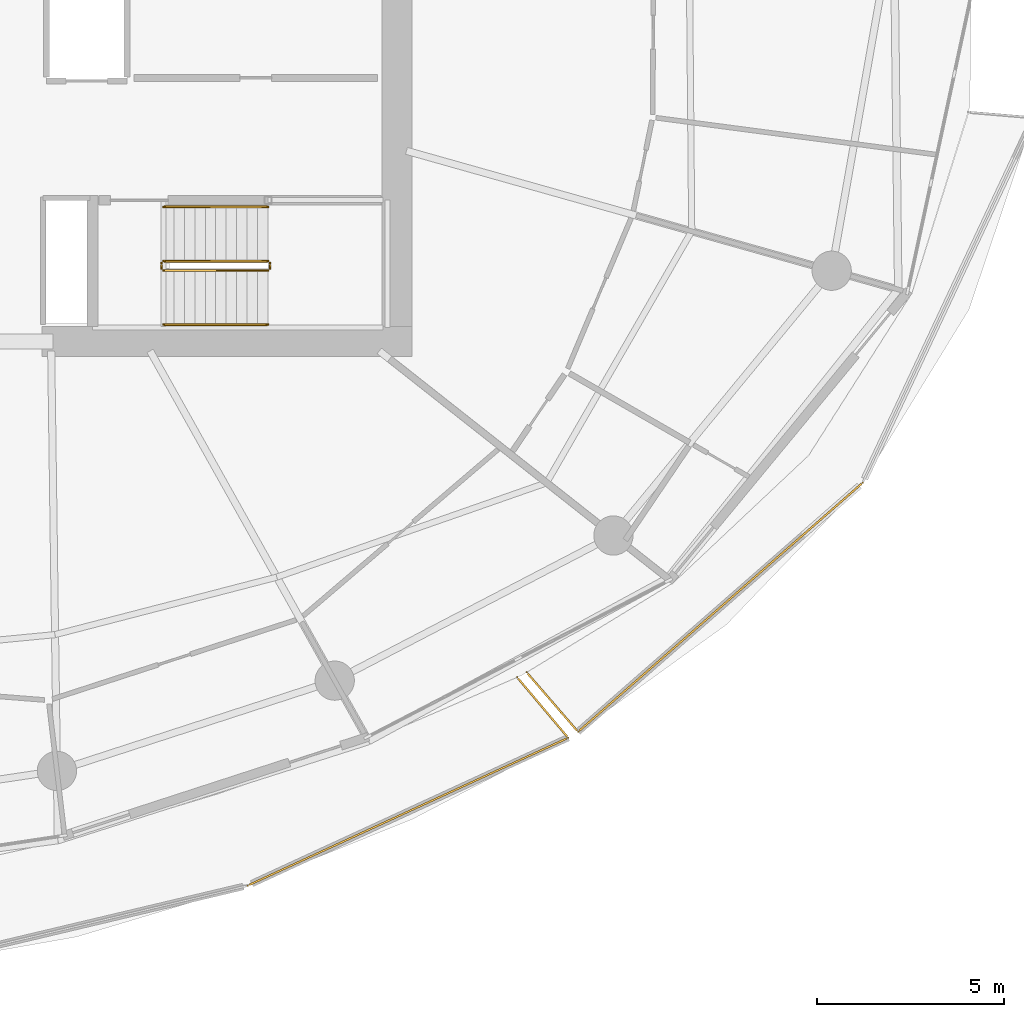
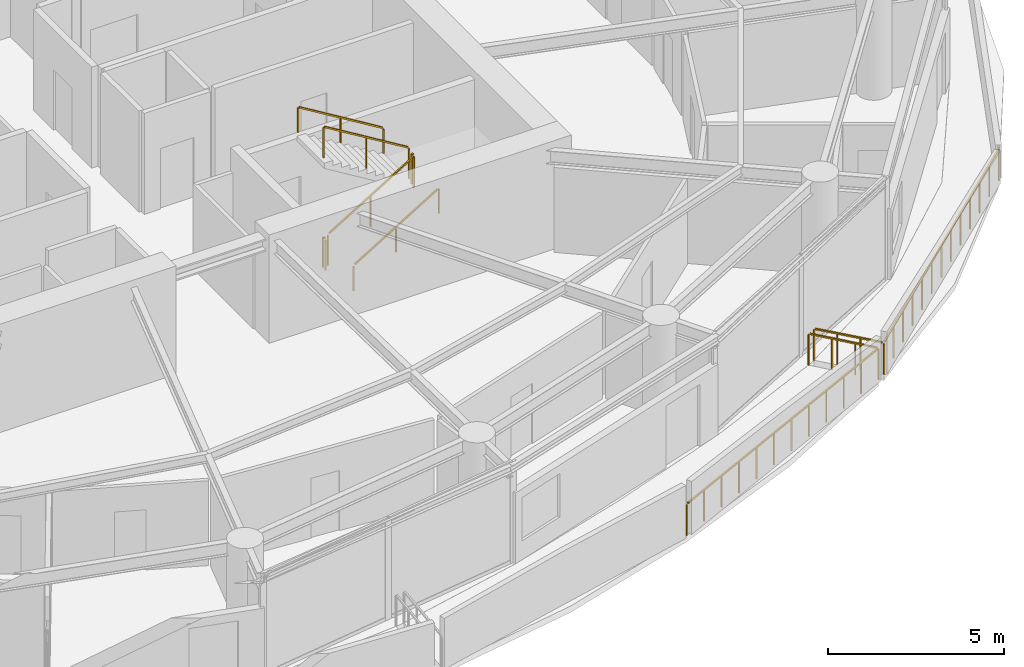
# One storey, part 18 of 20: 10 railings.
"""IFC4 building model written with IfcOpenShell, lengths in metres."""

from ifc_helpers import new_model, si_unit, direction, frame, origin, origin_2d, place, context, subcontext, project, spatial, rectangle, extrude, material, type_object, element, save


model = new_model("IFC4")

# Units and contexts
model_context = context("Model", 3, precision=1e-05, world=origin(), true_north=direction((0.0, 1.0)))
body_context = subcontext(model_context, "Body", "Model", "MODEL_VIEW")
ifc_project = project(units=[si_unit("LENGTHUNIT", "METRE"), si_unit("AREAUNIT", "SQUARE_METRE"), si_unit("VOLUMEUNIT", "CUBIC_METRE"), si_unit("PLANEANGLEUNIT", "RADIAN"), si_unit("MASSUNIT", "GRAM", prefix="KILO")], contexts=[model_context])

# Site, building, storey
site_placement = place(None, origin())
site = spatial("IfcSite", under=ifc_project, at=site_placement, CompositionType="ELEMENT")
building_placement = place(site_placement, origin())
building = spatial("IfcBuilding", under=site, at=building_placement, Name="Kazma Halo Residences", CompositionType="ELEMENT")
storey_placement = place(building_placement, frame((0.0, 0.0, 139.050048828125)))
storey = spatial("IfcBuildingStorey", under=building, at=storey_placement, Name="L34", CompositionType="ELEMENT", Elevation=139.050048828125)

# Railings
ifc_material_1 = material(Name="Aluminium AW-6063 T6 Brushed Cap Rail", Category="aluminium")
railing_type_1 = type_object("IfcRailingType", Name="RLG-BAL-CAP-1120", PredefinedType="BALUSTRADE", material=ifc_material_1)
railing_1_placement = place(storey_placement, frame((55.455810546875, 19.052978515625, 0.0)))
element("IfcRailing", 1, at=railing_1_placement, inside=storey, type_object=railing_type_1, Name="L34 SSE wave balcony guard 3", PredefinedType="BALUSTRADE", context=body_context, shape_type="SweptSolid", body=[
    extrude(rectangle(XDim=0.050048828125, YDim=0.050048828125, at=origin_2d()), frame((0.03857421875, 0.017822265625, 1.09521484375), z_axis=(0.908088839492, 0.418777577706, 0.0), x_axis=(-0.418777577706, 0.908088839492, 0.0)), (0.0, 0.0, 1.0), 9.3505859375),
    extrude(rectangle(XDim=0.0400390625, YDim=0.0400390625, at=origin_2d()), origin(), (0.0, 0.0, 1.0), 1.05810546875),
    extrude(rectangle(XDim=0.0400390625, YDim=0.0400390625, at=origin_2d()), frame((0.779052734375, 0.359130859375, 0.0)), (0.0, 0.0, 1.0), 1.05810546875),
    extrude(rectangle(XDim=0.0400390625, YDim=0.0400390625, at=origin_2d()), frame((1.557861328125, 0.718505859375, 0.0)), (0.0, 0.0, 1.0), 1.05810546875),
    extrude(rectangle(XDim=0.0400390625, YDim=0.0400390625, at=origin_2d()), frame((2.3369140625, 1.07763671875, 0.0)), (0.0, 0.0, 1.0), 1.05810546875),
    extrude(rectangle(XDim=0.0400390625, YDim=0.0400390625, at=origin_2d()), frame((3.11572265625, 1.436767578125, 0.0)), (0.0, 0.0, 1.0), 1.05810546875),
    extrude(rectangle(XDim=0.0400390625, YDim=0.0400390625, at=origin_2d()), frame((3.894775390625, 1.796142578125, 0.0)), (0.0, 0.0, 1.0), 1.05810546875),
    extrude(rectangle(XDim=0.0400390625, YDim=0.0400390625, at=origin_2d()), frame((4.673583984375, 2.1552734375, 0.0)), (0.0, 0.0, 1.0), 1.05810546875),
    extrude(rectangle(XDim=0.0400390625, YDim=0.0400390625, at=origin_2d()), frame((5.45263671875, 2.5146484375, 0.0)), (0.0, 0.0, 1.0), 1.05810546875),
    extrude(rectangle(XDim=0.0400390625, YDim=0.0400390625, at=origin_2d()), frame((6.2314453125, 2.873779296875, 0.0)), (0.0, 0.0, 1.0), 1.05810546875),
    extrude(rectangle(XDim=0.0400390625, YDim=0.0400390625, at=origin_2d()), frame((7.010498046875, 3.23291015625, 0.0)), (0.0, 0.0, 1.0), 1.05810546875),
    extrude(rectangle(XDim=0.0400390625, YDim=0.0400390625, at=origin_2d()), frame((7.789306640625, 3.59228515625, 0.0)), (0.0, 0.0, 1.0), 1.05810546875),
    extrude(rectangle(XDim=0.0400390625, YDim=0.0400390625, at=origin_2d()), frame((8.568359375, 3.951416015625, 0.0)), (0.0, 0.0, 1.0), 1.05810546875),
])
railing_2_placement = place(storey_placement, frame((64.024169921875, 23.00439453125, 0.0)))
element("IfcRailing", 2, at=railing_2_placement, inside=storey, type_object=railing_type_1, Name="L34 SSE wave balcony guard 4", PredefinedType="BALUSTRADE", context=body_context, shape_type="SweptSolid", body=[
    extrude(rectangle(XDim=0.050048828125, YDim=0.050048828125, at=origin_2d()), frame((-0.02734375, 0.032470703125, 1.09521484375), z_axis=(-0.644807688259, 0.764344847017, 0.0), x_axis=(-0.764344847017, -0.644807688259, 0.0)), (0.0, 0.0, 1.0), 2.02880859375),
    extrude(rectangle(XDim=0.0400390625, YDim=0.0400390625, at=origin_2d()), origin(), (0.0, 0.0, 1.0), 1.05810546875),
    extrude(rectangle(XDim=0.0400390625, YDim=0.0400390625, at=origin_2d()), frame((-0.454345703125, 0.53857421875, 0.0)), (0.0, 0.0, 1.0), 1.05810546875),
    extrude(rectangle(XDim=0.0400390625, YDim=0.0400390625, at=origin_2d()), frame((-0.90869140625, 1.0771484375, 0.0)), (0.0, 0.0, 1.0), 1.05810546875),
    extrude(rectangle(XDim=0.0400390625, YDim=0.0400390625, at=origin_2d()), frame((-1.363037109375, 1.61572265625, 0.0)), (0.0, 0.0, 1.0), 1.05810546875),
])
railing_3_placement = place(storey_placement, frame((62.91455078125, 24.751953125, 0.0)))
element("IfcRailing", 3, at=railing_3_placement, inside=storey, type_object=railing_type_1, Name="L34 SE wave balcony guard 1", PredefinedType="BALUSTRADE", context=body_context, shape_type="SweptSolid", body=[
    extrude(rectangle(XDim=0.050048828125, YDim=0.050048828125, at=origin_2d()), frame((0.02783203125, -0.0322265625, 1.09521484375), z_axis=(0.654080000882, -0.756425377976, 0.0), x_axis=(0.756425377976, 0.654080000882, 0.0)), (0.0, 0.0, 1.0), 2.01416015625),
    extrude(rectangle(XDim=0.0400390625, YDim=0.0400390625, at=origin_2d()), origin(), (0.0, 0.0, 1.0), 1.05810546875),
    extrude(rectangle(XDim=0.0400390625, YDim=0.0400390625, at=origin_2d()), frame((0.457763671875, -0.529296875, 0.0)), (0.0, 0.0, 1.0), 1.05810546875),
    extrude(rectangle(XDim=0.0400390625, YDim=0.0400390625, at=origin_2d()), frame((0.915283203125, -1.05859375, 0.0)), (0.0, 0.0, 1.0), 1.05810546875),
    extrude(rectangle(XDim=0.0400390625, YDim=0.0400390625, at=origin_2d()), frame((1.373046875, -1.587890625, 0.0)), (0.0, 0.0, 1.0), 1.05810546875),
])
railing_4_placement = place(storey_placement, frame((64.28759765625, 23.1640625, 0.0)))
element("IfcRailing", 4, at=railing_4_placement, inside=storey, type_object=railing_type_1, Name="L34 SE wave balcony guard 2", PredefinedType="BALUSTRADE", context=body_context, shape_type="SweptSolid", body=[
    extrude(rectangle(XDim=0.050048828125, YDim=0.050048828125, at=origin_2d()), frame((0.031982421875, 0.028076171875, 1.09521484375), z_axis=(0.752614080913, 0.658461878329, 0.0), x_axis=(-0.658461878329, 0.752614080913, 0.0)), (0.0, 0.0, 1.0), 10.02783203125),
    extrude(rectangle(XDim=0.0400390625, YDim=0.0400390625, at=origin_2d()), origin(), (0.0, 0.0, 1.0), 1.05810546875),
    extrude(rectangle(XDim=0.0400390625, YDim=0.0400390625, at=origin_2d()), frame((0.63427734375, 0.554931640625, 0.0)), (0.0, 0.0, 1.0), 1.05810546875),
    extrude(rectangle(XDim=0.0400390625, YDim=0.0400390625, at=origin_2d()), frame((1.2685546875, 1.10986328125, 0.0)), (0.0, 0.0, 1.0), 1.05810546875),
    extrude(rectangle(XDim=0.0400390625, YDim=0.0400390625, at=origin_2d()), frame((1.90283203125, 1.664794921875, 0.0)), (0.0, 0.0, 1.0), 1.05810546875),
    extrude(rectangle(XDim=0.0400390625, YDim=0.0400390625, at=origin_2d()), frame((2.537109375, 2.2197265625, 0.0)), (0.0, 0.0, 1.0), 1.05810546875),
    extrude(rectangle(XDim=0.0400390625, YDim=0.0400390625, at=origin_2d()), frame((3.17138671875, 2.774658203125, 0.0)), (0.0, 0.0, 1.0), 1.05810546875),
    extrude(rectangle(XDim=0.0400390625, YDim=0.0400390625, at=origin_2d()), frame((3.8056640625, 3.32958984375, 0.0)), (0.0, 0.0, 1.0), 1.05810546875),
    extrude(rectangle(XDim=0.0400390625, YDim=0.0400390625, at=origin_2d()), frame((4.439697265625, 3.88427734375, 0.0)), (0.0, 0.0, 1.0), 1.05810546875),
    extrude(rectangle(XDim=0.0400390625, YDim=0.0400390625, at=origin_2d()), frame((5.073974609375, 4.439208984375, 0.0)), (0.0, 0.0, 1.0), 1.05810546875),
    extrude(rectangle(XDim=0.0400390625, YDim=0.0400390625, at=origin_2d()), frame((5.708251953125, 4.994140625, 0.0)), (0.0, 0.0, 1.0), 1.05810546875),
    extrude(rectangle(XDim=0.0400390625, YDim=0.0400390625, at=origin_2d()), frame((6.342529296875, 5.549072265625, 0.0)), (0.0, 0.0, 1.0), 1.05810546875),
    extrude(rectangle(XDim=0.0400390625, YDim=0.0400390625, at=origin_2d()), frame((6.976806640625, 6.10400390625, 0.0)), (0.0, 0.0, 1.0), 1.05810546875),
    extrude(rectangle(XDim=0.0400390625, YDim=0.0400390625, at=origin_2d()), frame((7.611083984375, 6.658935546875, 0.0)), (0.0, 0.0, 1.0), 1.05810546875),
])
ifc_material_2 = material(Name="Painted Steel S355", Category="steel")
railing_type_2 = type_object("IfcRailingType", Name="RLG-STAIR-GRD-1100", PredefinedType="GUARDRAIL", material=ifc_material_2)
railing_5_placement = place(storey_placement, frame((53.199951171875, 35.5, 0.17041015625)))
element("IfcRailing", 5, at=railing_5_placement, inside=storey, type_object=railing_type_2, Name="L34 ST-03 stair guard 1", PredefinedType="GUARDRAIL", context=body_context, shape_type="SweptSolid", body=[
    extrude(rectangle(XDim=0.050048828125, YDim=0.050048828125, at=origin_2d()), frame((0.036376953125, 0.0, 1.09716796875), z_axis=(0.854169791009, 0.0, 0.51999420009), x_axis=(0.0, 1.0, 0.0)), (0.0, 0.0, 1.0), 3.193115234375),
    extrude(rectangle(XDim=0.0400390625, YDim=0.0400390625, at=origin_2d()), origin(), (0.0, 0.0, 1.0), 1.0380859375),
    extrude(rectangle(XDim=0.0400390625, YDim=0.0400390625, at=origin_2d()), frame((1.39990234375, 0.0, 0.852294921875)), (0.0, 0.0, 1.0), 1.0380859375),
    extrude(rectangle(XDim=0.0400390625, YDim=0.0400390625, at=origin_2d()), frame((2.800048828125, 0.0, 1.70458984375)), (0.0, 0.0, 1.0), 1.0380859375),
])
railing_6_placement = place(storey_placement, frame((56.050048828125, 35.550048828125, 1.875)))
element("IfcRailing", 6, at=railing_6_placement, inside=storey, type_object=railing_type_2, Name="L34 ST-03 stair guard 2", PredefinedType="GUARDRAIL", context=body_context, shape_type="SweptSolid", body=[
    extrude(rectangle(XDim=0.050048828125, YDim=0.050048828125, at=origin_2d()), frame((0.0, 0.04248046875, 1.0751953125), z_axis=(0.0, 1.0, 0.0), x_axis=(-1.0, 0.0, 0.0)), (0.0, 0.0, 1.0), 0.06494140625),
    extrude(rectangle(XDim=0.0400390625, YDim=0.0400390625, at=origin_2d()), origin(), (0.0, 0.0, 1.0), 1.0380859375),
    extrude(rectangle(XDim=0.0400390625, YDim=0.0400390625, at=origin_2d()), frame((0.0, 0.14990234375, 0.0)), (0.0, 0.0, 1.0), 1.0380859375),
])
railing_7_placement = place(storey_placement, frame((56.0, 35.75, 2.04541015625)))
element("IfcRailing", 7, at=railing_7_placement, inside=storey, type_object=railing_type_2, Name="L34 ST-03 stair guard 3", PredefinedType="GUARDRAIL", context=body_context, shape_type="SweptSolid", body=[
    extrude(rectangle(XDim=0.050048828125, YDim=0.050048828125, at=origin_2d()), frame((-0.036376953125, 0.0, 1.09716796875), z_axis=(-0.854169791009, 0.0, 0.51999420009), x_axis=(0.0, -1.0, 0.0)), (0.0, 0.0, 1.0), 3.193115234375),
    extrude(rectangle(XDim=0.0400390625, YDim=0.0400390625, at=origin_2d()), origin(), (0.0, 0.0, 1.0), 1.0380859375),
    extrude(rectangle(XDim=0.0400390625, YDim=0.0400390625, at=origin_2d()), frame((-1.39990234375, 0.0, 0.852294921875)), (0.0, 0.0, 1.0), 1.0380859375),
    extrude(rectangle(XDim=0.0400390625, YDim=0.0400390625, at=origin_2d()), frame((-2.800048828125, 0.0, 1.70458984375)), (0.0, 0.0, 1.0), 1.0380859375),
])
railing_8_placement = place(storey_placement, frame((53.14990234375, 35.550048828125, 0.0)))
element("IfcRailing", 8, at=railing_8_placement, inside=storey, type_object=railing_type_2, Name="L34 ST-03 stair guard 4", PredefinedType="GUARDRAIL", context=body_context, shape_type="SweptSolid", body=[
    extrude(rectangle(XDim=0.050048828125, YDim=0.050048828125, at=origin_2d()), frame((0.0, 0.04248046875, 1.0751953125), z_axis=(0.0, 1.0, 0.0), x_axis=(-1.0, 0.0, 0.0)), (0.0, 0.0, 1.0), 0.06494140625),
    extrude(rectangle(XDim=0.0400390625, YDim=0.0400390625, at=origin_2d()), origin(), (0.0, 0.0, 1.0), 1.0380859375),
    extrude(rectangle(XDim=0.0400390625, YDim=0.0400390625, at=origin_2d()), frame((0.0, 0.14990234375, 0.0)), (0.0, 0.0, 1.0), 1.0380859375),
])
ifc_material_3 = material(Name="Brushed Stainless Steel", Category="steel")
railing_type_3 = type_object("IfcRailingType", Name="RLG-STAIR-HND-900", PredefinedType="HANDRAIL", material=ifc_material_3)
railing_9_placement = place(storey_placement, frame((53.199951171875, 34.050048828125, 0.17041015625)))
element("IfcRailing", 9, at=railing_9_placement, inside=storey, type_object=railing_type_3, Name="L34 ST-03 stair handrail 1", PredefinedType="HANDRAIL", context=body_context, shape_type="SweptSolid", body=[
    extrude(rectangle(XDim=0.050048828125, YDim=0.050048828125, at=origin_2d()), frame((0.036376953125, 0.0, 0.89697265625), z_axis=(0.854169791009, 0.0, 0.51999420009), x_axis=(0.0, 1.0, 0.0)), (0.0, 0.0, 1.0), 3.193115234375),
    extrude(rectangle(XDim=0.0400390625, YDim=0.0400390625, at=origin_2d()), origin(), (0.0, 0.0, 1.0), 0.837890625),
    extrude(rectangle(XDim=0.0400390625, YDim=0.0400390625, at=origin_2d()), frame((1.39990234375, 0.0, 0.852294921875)), (0.0, 0.0, 1.0), 0.837890625),
    extrude(rectangle(XDim=0.0400390625, YDim=0.0400390625, at=origin_2d()), frame((2.800048828125, 0.0, 1.70458984375)), (0.0, 0.0, 1.0), 0.837890625),
])
railing_10_placement = place(storey_placement, frame((56.0, 37.199951171875, 2.04541015625)))
element("IfcRailing", 10, at=railing_10_placement, inside=storey, type_object=railing_type_3, Name="L34 ST-03 stair handrail 2", PredefinedType="HANDRAIL", context=body_context, shape_type="SweptSolid", body=[
    extrude(rectangle(XDim=0.050048828125, YDim=0.050048828125, at=origin_2d()), frame((-0.036376953125, 0.0, 0.89697265625), z_axis=(-0.854169791009, 0.0, 0.51999420009), x_axis=(0.0, -1.0, 0.0)), (0.0, 0.0, 1.0), 3.193115234375),
    extrude(rectangle(XDim=0.0400390625, YDim=0.0400390625, at=origin_2d()), origin(), (0.0, 0.0, 1.0), 0.837890625),
    extrude(rectangle(XDim=0.0400390625, YDim=0.0400390625, at=origin_2d()), frame((-1.39990234375, 0.0, 0.852294921875)), (0.0, 0.0, 1.0), 0.837890625),
    extrude(rectangle(XDim=0.0400390625, YDim=0.0400390625, at=origin_2d()), frame((-2.800048828125, 0.0, 1.70458984375)), (0.0, 0.0, 1.0), 0.837890625),
])

save(model, "model.ifc")
